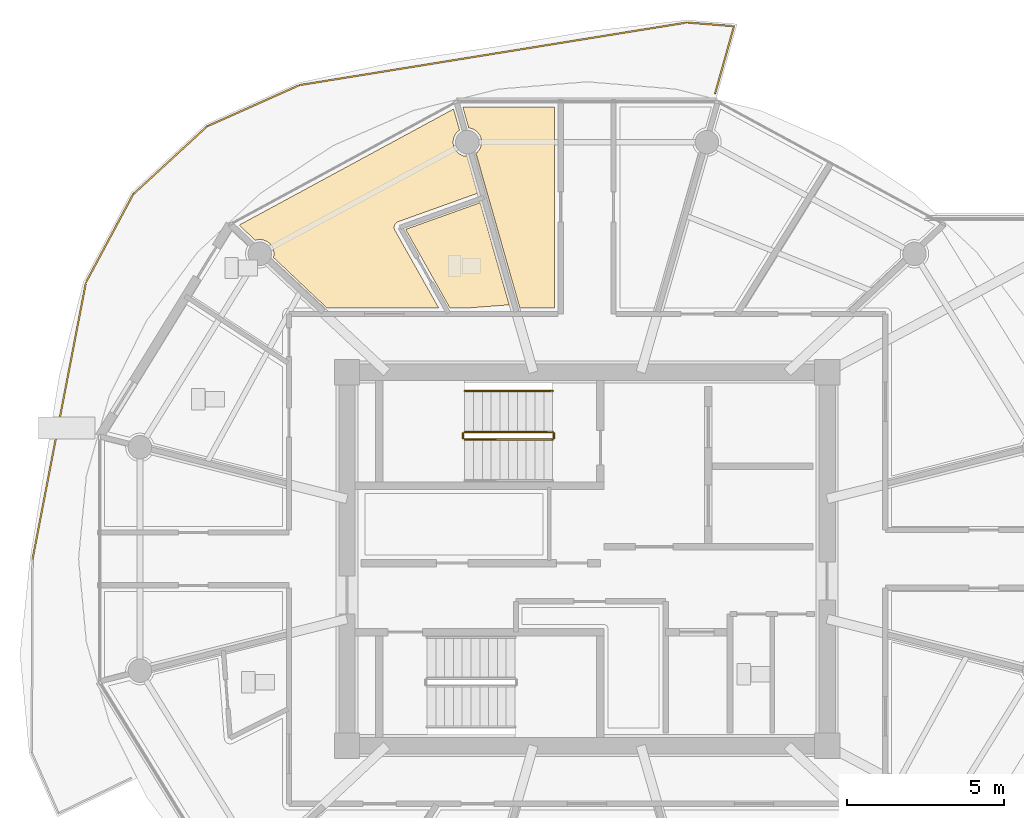
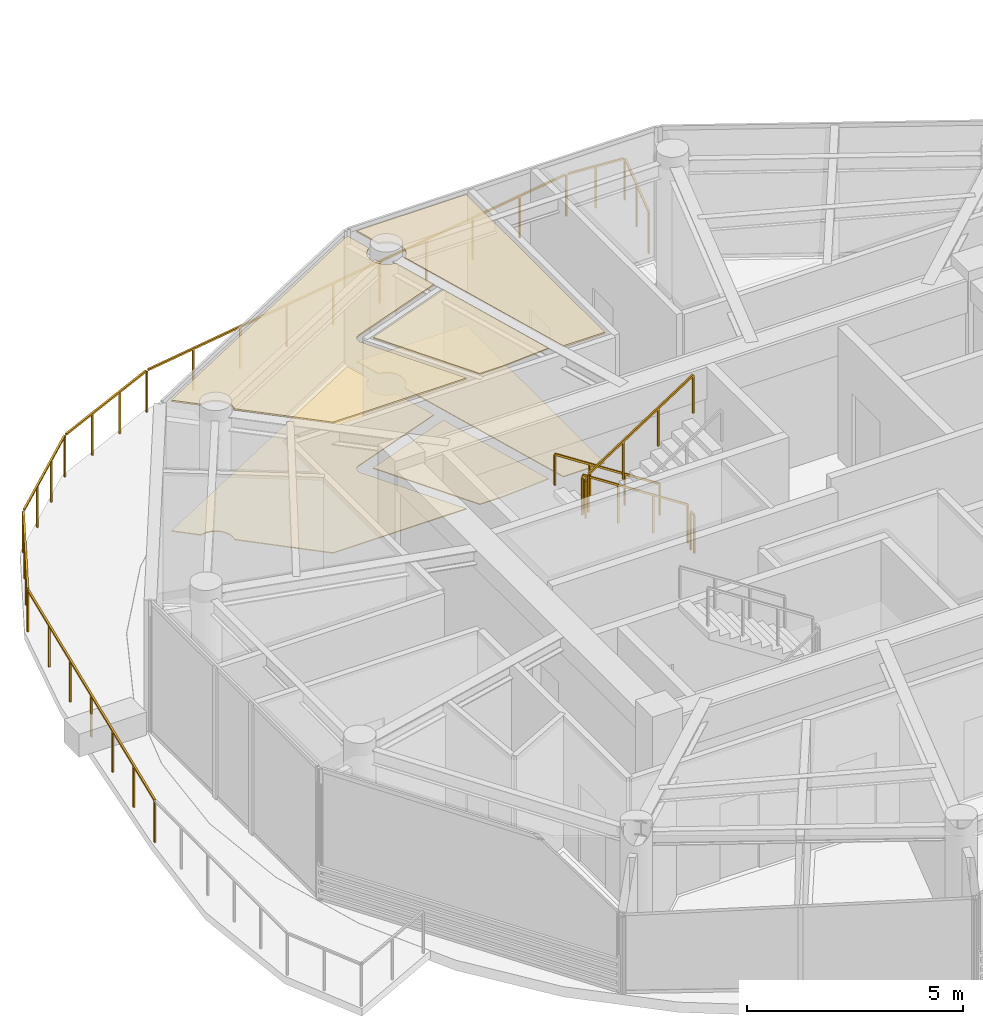
# One storey, part 24 of 31: 6 coverings, 6 railings.
"""IFC4 building model written with IfcOpenShell, lengths in metres."""

from ifc_helpers import new_model, si_unit, direction, frame, origin, origin_2d, place, context, subcontext, project, spatial, polyline, rectangle, outline, extrude, material, layer, layer_set, type_object, element, save


model = new_model("IFC4")

# Units and contexts
model_context = context("Model", 3, precision=1e-05, world=origin(), true_north=direction((0.0, 1.0)))
body_context = subcontext(model_context, "Body", "Model", "MODEL_VIEW")
ifc_project = project(units=[si_unit("LENGTHUNIT", "METRE"), si_unit("AREAUNIT", "SQUARE_METRE"), si_unit("VOLUMEUNIT", "CUBIC_METRE"), si_unit("PLANEANGLEUNIT", "RADIAN"), si_unit("MASSUNIT", "GRAM", prefix="KILO")], contexts=[model_context])

# Site, building, storey
site_placement = place(None, origin())
site = spatial("IfcSite", under=ifc_project, at=site_placement, CompositionType="ELEMENT")
building_placement = place(site_placement, origin())
building = spatial("IfcBuilding", under=site, at=building_placement, Name="Norrkilde Senior Care Towers", CompositionType="ELEMENT")
storey_placement = place(building_placement, frame((0.0, 0.0, 199.800048828125)))
storey = spatial("IfcBuildingStorey", under=building, at=storey_placement, Name="L62", CompositionType="ELEMENT", Elevation=199.800048828125)

# Coverings
ifc_material_1 = material(Name="Nordic Ash Timber", Category="wood")
ifc_layer_1 = layer(ifc_material_1, 0.044921875)
ifc_layer_set_1 = layer_set([ifc_layer_1], Name="Nordic Ash Timber")
covering_type_1 = type_object("IfcCoveringType", Name="Acoustic Ash Timber Slatted Ceiling 45", PredefinedType="CEILING", material=ifc_layer_set_1)
covering_1_placement = place(storey_placement, frame((0.0, 0.0, 3.6650390625)))
element("IfcCovering", 1, at=covering_1_placement, inside=storey, type_object=covering_type_1, Name="L62 Suspended Ceiling 0376", PredefinedType="CEILING", context=body_context, shape_type="SweptSolid", body=[
    extrude(outline(polyline([(-29.0400390625, 14.407470703125), (-29.0400390625, 8.0), (-30.144775390625, 8.0), (-31.541748046875, 12.924560546875), (-31.495849609375, 12.959716796875), (-31.423583984375, 13.053955078125), (-31.378173828125, 13.163818359375), (-31.362548828125, 13.281494140625), (-31.378173828125, 13.399169921875), (-31.423583984375, 13.509033203125), (-31.495849609375, 13.603271484375), (-31.590087890625, 13.675537109375), (-31.69970703125, 13.720947265625), (-31.770263671875, 13.730224609375), (-31.96240234375, 14.407470703125), (-29.0400390625, 14.407470703125)])), origin(), (0.0, 0.0, 1.0), 0.044921875),
])
covering_2_placement = place(storey_placement, frame((0.0, 0.0, 3.6650390625)))
element("IfcCovering", 2, at=covering_2_placement, inside=storey, type_object=covering_type_1, Name="L62 Suspended Ceiling 0383", PredefinedType="CEILING", context=body_context, shape_type="SweptSolid", body=[
    extrude(outline(polyline([(-34.0595703125, 10.7255859375), (-34.065185546875, 10.7216796875), (-34.074462890625, 10.71484375), (-34.079833984375, 10.710693359375), (-34.08837890625, 10.702880859375), (-34.09326171875, 10.6982421875), (-34.10107421875, 10.689697265625), (-34.10546875, 10.684326171875), (-34.1123046875, 10.675048828125), (-34.1162109375, 10.66943359375), (-34.122314453125, 10.65966796875), (-34.12548828125, 10.65380859375), (-34.130615234375, 10.643310546875), (-34.13330078125, 10.63720703125), (-34.13720703125, 10.626220703125), (-34.139404296875, 10.619873046875), (-34.142333984375, 10.608642578125), (-34.143798828125, 10.60205078125), (-34.1455078125, 10.590576171875), (-34.146484375, 10.583740234375), (-34.147216796875, 10.572265625), (-34.147216796875, 10.5654296875), (-34.14697265625, 10.553955078125), (-34.146484375, 10.547119140625), (-34.14501953125, 10.53564453125), (-34.143798828125, 10.529052734375), (-34.14111328125, 10.517578125), (-34.139404296875, 10.51123046875), (-34.1357421875, 10.500244140625), (-34.13330078125, 10.493896484375), (-34.128662109375, 10.483154296875), (-34.12548828125, 10.47705078125), (-34.122802734375, 10.471923828125), (-32.72900390625, 8.0), (-36.294677734375, 8.0), (-37.9912109375, 9.6025390625), (-37.990234375, 9.60498046875), (-37.974853515625, 9.72265625), (-37.990234375, 9.840576171875), (-38.035888671875, 9.9501953125), (-38.108154296875, 10.04443359375), (-38.202392578125, 10.11669921875), (-38.31201171875, 10.162109375), (-38.429931640625, 10.177734375), (-38.547607421875, 10.162109375), (-38.57275390625, 10.15185546875), (-39.08642578125, 10.636962890625), (-32.253662109375, 14.335693359375), (-32.062744140625, 13.662109375), (-32.139404296875, 13.603271484375), (-32.211669921875, 13.509033203125), (-32.257080078125, 13.399169921875), (-32.2724609375, 13.281494140625), (-32.257080078125, 13.163818359375), (-32.211669921875, 13.053955078125), (-32.139404296875, 12.959716796875), (-32.045166015625, 12.887451171875), (-31.935302734375, 12.842041015625), (-31.825927734375, 12.82763671875), (-31.491943359375, 11.650634765625), (-34.021484375, 10.744140625), (-34.02685546875, 10.7421875), (-34.033203125, 10.739501953125), (-34.043701171875, 10.734619140625), (-34.049560546875, 10.7314453125), (-34.0595703125, 10.7255859375)])), origin(), (0.0, 0.0, 1.0), 0.044921875),
])
ifc_material_2 = material(Name="Gypsum Acoustic Board")
ifc_layer_2 = layer(ifc_material_2, 0.030029296875)
ifc_layer_set_2 = layer_set([ifc_layer_2], Name="Gypsum Acoustic Board")
covering_type_2 = type_object("IfcCoveringType", Name="Medical Cleanable Gypsum Ceiling 30", PredefinedType="CEILING", material=ifc_layer_set_2)
covering_3_placement = place(storey_placement, frame((0.0, 0.0, 3.679931640625)))
element("IfcCovering", 3, at=covering_3_placement, inside=storey, type_object=covering_type_2, Name="L62 Suspended Ceiling 0384", PredefinedType="CEILING", context=body_context, shape_type="SweptSolid", body=[
    extrude(outline(polyline([(-33.782958984375, 10.50048828125), (-31.4072265625, 11.3515625), (-30.483642578125, 8.095458984375), (-31.75390625, 8.0), (-32.373046875, 8.0), (-33.782958984375, 10.50048828125)])), origin(), (0.0, 0.0, 1.0), 0.030029296875),
])

# Railing
ifc_material_3 = material(Name="Stainless Steel", Category="steel")
railing_type_1 = type_object("IfcRailingType", Name="Sky Pool Laminated Balustrade 1200", PredefinedType="BALUSTRADE", material=ifc_material_3)
railing_1_placement = place(storey_placement, frame((-45.669677734375, -0.010498046875, 0.0)))
element("IfcRailing", 4, at=railing_1_placement, inside=storey, type_object=railing_type_1, Name="L62 Perimeter Safety Guard 05", PredefinedType="BALUSTRADE", context=body_context, shape_type="SweptSolid", body=[
    extrude(rectangle(XDim=0.048095703125, YDim=0.048095703125, at=origin_2d()), frame((0.0, 0.0, 1.17578125), z_axis=(0.189405817806, 0.981898893054, 0.0), x_axis=(-0.981898893054, 0.189405817806, 0.0)), (0.0, 0.0, 1.0), 8.942138671875),
    extrude(rectangle(XDim=0.048095703125, YDim=0.048095703125, at=origin_2d()), frame((1.720703125, 8.8564453125, 1.17578125), z_axis=(0.472100103462, 0.88154494628, 0.0), x_axis=(-0.88154494628, 0.472100103462, 0.0)), (0.0, 0.0, 1.0), 3.101806640625),
    extrude(rectangle(XDim=0.048095703125, YDim=0.048095703125, at=origin_2d()), frame((3.234375, 11.654296875, 1.17578125), z_axis=(0.736388067125, 0.676559394729, 0.0), x_axis=(-0.676559394729, 0.736388067125, 0.0)), (0.0, 0.0, 1.0), 3.12158203125),
    extrude(rectangle(XDim=0.048095703125, YDim=0.048095703125, at=origin_2d()), frame((5.6005859375, 13.810546875, 1.17578125), z_axis=(0.913132342887, 0.407663248741, 0.0), x_axis=(-0.407663248741, 0.913132342887, 0.0)), (0.0, 0.0, 1.0), 3.140869140625),
    extrude(rectangle(XDim=0.048095703125, YDim=0.048095703125, at=origin_2d()), frame((8.546142578125, 15.1142578125, 1.17578125), z_axis=(0.987195630244, 0.1595142239, 0.0), x_axis=(-0.1595142239, 0.987195630244, 0.0)), (0.0, 0.0, 1.0), 12.421142578125),
    extrude(rectangle(XDim=0.048095703125, YDim=0.048095703125, at=origin_2d()), frame((20.889404296875, 17.098876953125, 1.17578125), z_axis=(0.996952491541, -0.078011086454, 0.0), x_axis=(0.078011086454, 0.996952491541, 0.0)), (0.0, 0.0, 1.0), 1.423583984375),
    extrude(rectangle(XDim=0.048095703125, YDim=0.048095703125, at=origin_2d()), frame((22.33837890625, 16.9453125, 1.17578125), z_axis=(-0.270143741925, -0.962820003271, 0.0), x_axis=(0.962820003271, -0.270143741925, 0.0)), (0.0, 0.0, 1.0), 2.1796875),
    extrude(rectangle(XDim=0.0419921875, YDim=0.0419921875, at=origin_2d()), origin(), (0.0, 0.0, 1.0), 1.14990234375),
    extrude(rectangle(XDim=0.0419921875, YDim=0.0419921875, at=origin_2d()), frame((0.28369140625, 1.469970703125, 0.0)), (0.0, 0.0, 1.0), 1.14990234375),
    extrude(rectangle(XDim=0.0419921875, YDim=0.0419921875, at=origin_2d()), frame((0.567138671875, 2.940185546875, 0.0)), (0.0, 0.0, 1.0), 1.14990234375),
    extrude(rectangle(XDim=0.0419921875, YDim=0.0419921875, at=origin_2d()), frame((0.8505859375, 4.41015625, 0.0)), (0.0, 0.0, 1.0), 1.14990234375),
    extrude(rectangle(XDim=0.0419921875, YDim=0.0419921875, at=origin_2d()), frame((1.13427734375, 5.880126953125, 0.0)), (0.0, 0.0, 1.0), 1.14990234375),
    extrude(rectangle(XDim=0.0419921875, YDim=0.0419921875, at=origin_2d()), frame((1.41796875, 7.350341796875, 0.0)), (0.0, 0.0, 1.0), 1.14990234375),
    extrude(rectangle(XDim=0.0419921875, YDim=0.0419921875, at=origin_2d()), frame((1.701416015625, 8.8203125, 0.0)), (0.0, 0.0, 1.0), 1.14990234375),
    extrude(rectangle(XDim=0.0419921875, YDim=0.0419921875, at=origin_2d()), frame((2.202392578125, 9.755859375, 0.0)), (0.0, 0.0, 1.0), 1.14990234375),
    extrude(rectangle(XDim=0.0419921875, YDim=0.0419921875, at=origin_2d()), frame((2.703369140625, 10.691162109375, 0.0)), (0.0, 0.0, 1.0), 1.14990234375),
    extrude(rectangle(XDim=0.0419921875, YDim=0.0419921875, at=origin_2d()), frame((3.204345703125, 11.626708984375, 0.0)), (0.0, 0.0, 1.0), 1.14990234375),
    extrude(rectangle(XDim=0.0419921875, YDim=0.0419921875, at=origin_2d()), frame((3.99072265625, 12.34912109375, 0.0)), (0.0, 0.0, 1.0), 1.14990234375),
    extrude(rectangle(XDim=0.0419921875, YDim=0.0419921875, at=origin_2d()), frame((4.77685546875, 13.071533203125, 0.0)), (0.0, 0.0, 1.0), 1.14990234375),
    extrude(rectangle(XDim=0.0419921875, YDim=0.0419921875, at=origin_2d()), frame((5.563232421875, 13.7939453125, 0.0)), (0.0, 0.0, 1.0), 1.14990234375),
    extrude(rectangle(XDim=0.0419921875, YDim=0.0419921875, at=origin_2d()), frame((6.544189453125, 14.23193359375, 0.0)), (0.0, 0.0, 1.0), 1.14990234375),
    extrude(rectangle(XDim=0.0419921875, YDim=0.0419921875, at=origin_2d()), frame((7.52490234375, 14.669677734375, 0.0)), (0.0, 0.0, 1.0), 1.14990234375),
    extrude(rectangle(XDim=0.0419921875, YDim=0.0419921875, at=origin_2d()), frame((8.505859375, 15.107666015625, 0.0)), (0.0, 0.0, 1.0), 1.14990234375),
    extrude(rectangle(XDim=0.0419921875, YDim=0.0419921875, at=origin_2d()), frame((9.877197265625, 15.329345703125, 0.0)), (0.0, 0.0, 1.0), 1.14990234375),
    extrude(rectangle(XDim=0.0419921875, YDim=0.0419921875, at=origin_2d()), frame((11.248779296875, 15.55078125, 0.0)), (0.0, 0.0, 1.0), 1.14990234375),
    extrude(rectangle(XDim=0.0419921875, YDim=0.0419921875, at=origin_2d()), frame((12.6201171875, 15.7724609375, 0.0)), (0.0, 0.0, 1.0), 1.14990234375),
    extrude(rectangle(XDim=0.0419921875, YDim=0.0419921875, at=origin_2d()), frame((13.991455078125, 15.994140625, 0.0)), (0.0, 0.0, 1.0), 1.14990234375),
    extrude(rectangle(XDim=0.0419921875, YDim=0.0419921875, at=origin_2d()), frame((15.363037109375, 16.215576171875, 0.0)), (0.0, 0.0, 1.0), 1.14990234375),
    extrude(rectangle(XDim=0.0419921875, YDim=0.0419921875, at=origin_2d()), frame((16.734375, 16.437255859375, 0.0)), (0.0, 0.0, 1.0), 1.14990234375),
    extrude(rectangle(XDim=0.0419921875, YDim=0.0419921875, at=origin_2d()), frame((18.105712890625, 16.658935546875, 0.0)), (0.0, 0.0, 1.0), 1.14990234375),
    extrude(rectangle(XDim=0.0419921875, YDim=0.0419921875, at=origin_2d()), frame((19.477294921875, 16.88037109375, 0.0)), (0.0, 0.0, 1.0), 1.14990234375),
    extrude(rectangle(XDim=0.0419921875, YDim=0.0419921875, at=origin_2d()), frame((20.8486328125, 17.10205078125, 0.0)), (0.0, 0.0, 1.0), 1.14990234375),
    extrude(rectangle(XDim=0.0419921875, YDim=0.0419921875, at=origin_2d()), frame((21.59912109375, 17.04345703125, 0.0)), (0.0, 0.0, 1.0), 1.14990234375),
    extrude(rectangle(XDim=0.0419921875, YDim=0.0419921875, at=origin_2d()), frame((22.349365234375, 16.984619140625, 0.0)), (0.0, 0.0, 1.0), 1.14990234375),
    extrude(rectangle(XDim=0.0419921875, YDim=0.0419921875, at=origin_2d()), frame((22.04931640625, 15.91552734375, 0.0)), (0.0, 0.0, 1.0), 1.14990234375),
    extrude(rectangle(XDim=0.0419921875, YDim=0.0419921875, at=origin_2d()), frame((21.74951171875, 14.8466796875, 0.0)), (0.0, 0.0, 1.0), 1.14990234375),
])

# Coverings
ifc_material_4 = material(Name="Slip-Resistant Porcelain Stone", Category="masonry")
ifc_layer_3 = layer(ifc_material_4, 0.02490234375)
ifc_layer_set_3 = layer_set([ifc_layer_3], Name="Slip-Resistant Porcelain Stone")
covering_type_3 = type_object("IfcCoveringType", Name="Slip-Resistant Porcelain Flooring 25", PredefinedType="FLOORING", material=ifc_layer_set_3)
covering_4_placement = place(storey_placement, origin())
element("IfcCovering", 5, at=covering_4_placement, inside=storey, type_object=covering_type_3, Name="L62 Floor Finish 0376", PredefinedType="FLOORING", context=body_context, shape_type="SweptSolid", body=[
    extrude(outline(polyline([(-29.0400390625, 14.407470703125), (-29.0400390625, 8.0), (-30.144775390625, 8.0), (-31.541748046875, 12.924560546875), (-31.495849609375, 12.959716796875), (-31.423583984375, 13.053955078125), (-31.378173828125, 13.163818359375), (-31.362548828125, 13.281494140625), (-31.378173828125, 13.399169921875), (-31.423583984375, 13.509033203125), (-31.495849609375, 13.603271484375), (-31.590087890625, 13.675537109375), (-31.69970703125, 13.720947265625), (-31.770263671875, 13.730224609375), (-31.96240234375, 14.407470703125), (-29.0400390625, 14.407470703125)])), origin(), (0.0, 0.0, 1.0), 0.02490234375),
])
covering_5_placement = place(storey_placement, origin())
element("IfcCovering", 6, at=covering_5_placement, inside=storey, type_object=covering_type_3, Name="L62 Floor Finish 0383", PredefinedType="FLOORING", context=body_context, shape_type="SweptSolid", body=[
    extrude(outline(polyline([(-34.0595703125, 10.7255859375), (-34.065185546875, 10.7216796875), (-34.074462890625, 10.71484375), (-34.079833984375, 10.710693359375), (-34.08837890625, 10.702880859375), (-34.09326171875, 10.6982421875), (-34.10107421875, 10.689697265625), (-34.10546875, 10.684326171875), (-34.1123046875, 10.675048828125), (-34.1162109375, 10.66943359375), (-34.122314453125, 10.65966796875), (-34.12548828125, 10.65380859375), (-34.130615234375, 10.643310546875), (-34.13330078125, 10.63720703125), (-34.13720703125, 10.626220703125), (-34.139404296875, 10.619873046875), (-34.142333984375, 10.608642578125), (-34.143798828125, 10.60205078125), (-34.1455078125, 10.590576171875), (-34.146484375, 10.583740234375), (-34.147216796875, 10.572265625), (-34.147216796875, 10.5654296875), (-34.14697265625, 10.553955078125), (-34.146484375, 10.547119140625), (-34.14501953125, 10.53564453125), (-34.143798828125, 10.529052734375), (-34.14111328125, 10.517578125), (-34.139404296875, 10.51123046875), (-34.1357421875, 10.500244140625), (-34.13330078125, 10.493896484375), (-34.128662109375, 10.483154296875), (-34.12548828125, 10.47705078125), (-34.122802734375, 10.471923828125), (-32.72900390625, 8.0), (-36.294677734375, 8.0), (-37.9912109375, 9.6025390625), (-37.990234375, 9.60498046875), (-37.974853515625, 9.72265625), (-37.990234375, 9.840576171875), (-38.035888671875, 9.9501953125), (-38.108154296875, 10.04443359375), (-38.202392578125, 10.11669921875), (-38.31201171875, 10.162109375), (-38.429931640625, 10.177734375), (-38.547607421875, 10.162109375), (-38.57275390625, 10.15185546875), (-39.08642578125, 10.636962890625), (-32.253662109375, 14.335693359375), (-32.062744140625, 13.662109375), (-32.139404296875, 13.603271484375), (-32.211669921875, 13.509033203125), (-32.257080078125, 13.399169921875), (-32.2724609375, 13.281494140625), (-32.257080078125, 13.163818359375), (-32.211669921875, 13.053955078125), (-32.139404296875, 12.959716796875), (-32.045166015625, 12.887451171875), (-31.935302734375, 12.842041015625), (-31.825927734375, 12.82763671875), (-31.491943359375, 11.650634765625), (-34.021484375, 10.744140625), (-34.02685546875, 10.7421875), (-34.033203125, 10.739501953125), (-34.043701171875, 10.734619140625), (-34.049560546875, 10.7314453125), (-34.0595703125, 10.7255859375)])), origin(), (0.0, 0.0, 1.0), 0.02490234375),
])
covering_6_placement = place(storey_placement, origin())
element("IfcCovering", 7, at=covering_6_placement, inside=storey, type_object=covering_type_3, Name="L62 Floor Finish 0384", PredefinedType="FLOORING", context=body_context, shape_type="SweptSolid", body=[
    extrude(outline(polyline([(-33.782958984375, 10.50048828125), (-31.4072265625, 11.3515625), (-30.483642578125, 8.095458984375), (-31.75390625, 8.0), (-32.373046875, 8.0), (-33.782958984375, 10.50048828125)])), origin(), (0.0, 0.0, 1.0), 0.02490234375),
])

# Railings
railing_type_2 = type_object("IfcRailingType", Name="Stair and Terrace Guardrail 1100", PredefinedType="GUARDRAIL", material=ifc_material_3)
railing_2_placement = place(storey_placement, frame((-29.10009765625, 4.050048828125, 0.181884765625)))
element("IfcRailing", 8, at=railing_2_placement, inside=storey, type_object=railing_type_2, Name="L62 ST-W1 stair guard 1", PredefinedType="GUARDRAIL", context=body_context, shape_type="SweptSolid", body=[
    extrude(rectangle(XDim=0.048095703125, YDim=0.048095703125, at=origin_2d()), frame((0.0, 0.0, 1.076171875), z_axis=(-0.83868413941, 0.0, 0.544618136222), x_axis=(0.0, -1.0, 0.0)), (0.0, 0.0, 1.0), 3.33837890625),
    extrude(rectangle(XDim=0.0419921875, YDim=0.0419921875, at=origin_2d()), origin(), (0.0, 0.0, 1.0), 1.050048828125),
    extrude(rectangle(XDim=0.0419921875, YDim=0.0419921875, at=origin_2d()), frame((-0.933349609375, 0.0, 0.60595703125)), (0.0, 0.0, 1.0), 1.050048828125),
    extrude(rectangle(XDim=0.0419921875, YDim=0.0419921875, at=origin_2d()), frame((-1.866455078125, 0.0, 1.212158203125)), (0.0, 0.0, 1.0), 1.050048828125),
    extrude(rectangle(XDim=0.0419921875, YDim=0.0419921875, at=origin_2d()), frame((-2.7998046875, 0.0, 1.818115234375)), (0.0, 0.0, 1.0), 1.050048828125),
])
railing_3_placement = place(storey_placement, frame((-31.949951171875, 4.0, 2.0)))
element("IfcRailing", 9, at=railing_3_placement, inside=storey, type_object=railing_type_2, Name="L62 ST-W1 stair guard 2", PredefinedType="GUARDRAIL", context=body_context, shape_type="SweptSolid", body=[
    extrude(rectangle(XDim=0.048095703125, YDim=0.048095703125, at=origin_2d()), frame((0.0, 0.0, 1.076171875), z_axis=(0.0, -1.0, 0.0), x_axis=(1.0, 0.0, 0.0)), (0.0, 0.0, 1.0), 0.14990234375),
    extrude(rectangle(XDim=0.0419921875, YDim=0.0419921875, at=origin_2d()), origin(), (0.0, 0.0, 1.0), 1.050048828125),
    extrude(rectangle(XDim=0.0419921875, YDim=0.0419921875, at=origin_2d()), frame((0.0, -0.14990234375, 0.0)), (0.0, 0.0, 1.0), 1.050048828125),
])
railing_4_placement = place(storey_placement, frame((-31.89990234375, 3.800048828125, 2.181884765625)))
element("IfcRailing", 10, at=railing_4_placement, inside=storey, type_object=railing_type_2, Name="L62 ST-W1 stair guard 3", PredefinedType="GUARDRAIL", context=body_context, shape_type="SweptSolid", body=[
    extrude(rectangle(XDim=0.048095703125, YDim=0.048095703125, at=origin_2d()), frame((0.0, 0.0, 1.076171875), z_axis=(0.83868413941, 0.0, 0.544618136222), x_axis=(0.0, 1.0, 0.0)), (0.0, 0.0, 1.0), 3.33837890625),
    extrude(rectangle(XDim=0.0419921875, YDim=0.0419921875, at=origin_2d()), origin(), (0.0, 0.0, 1.0), 1.050048828125),
    extrude(rectangle(XDim=0.0419921875, YDim=0.0419921875, at=origin_2d()), frame((0.933349609375, 0.0, 0.60595703125)), (0.0, 0.0, 1.0), 1.050048828125),
    extrude(rectangle(XDim=0.0419921875, YDim=0.0419921875, at=origin_2d()), frame((1.866455078125, 0.0, 1.212158203125)), (0.0, 0.0, 1.0), 1.050048828125),
    extrude(rectangle(XDim=0.0419921875, YDim=0.0419921875, at=origin_2d()), frame((2.7998046875, 0.0, 1.818115234375)), (0.0, 0.0, 1.0), 1.050048828125),
])
railing_5_placement = place(storey_placement, frame((-29.050048828125, 4.0, 0.0)))
element("IfcRailing", 11, at=railing_5_placement, inside=storey, type_object=railing_type_2, Name="L62 ST-W1 stair guard 4", PredefinedType="GUARDRAIL", context=body_context, shape_type="SweptSolid", body=[
    extrude(rectangle(XDim=0.048095703125, YDim=0.048095703125, at=origin_2d()), frame((0.0, 0.0, 1.076171875), z_axis=(0.0, -1.0, 0.0), x_axis=(1.0, 0.0, 0.0)), (0.0, 0.0, 1.0), 0.14990234375),
    extrude(rectangle(XDim=0.0419921875, YDim=0.0419921875, at=origin_2d()), origin(), (0.0, 0.0, 1.0), 1.050048828125),
    extrude(rectangle(XDim=0.0419921875, YDim=0.0419921875, at=origin_2d()), frame((0.0, -0.14990234375, 0.0)), (0.0, 0.0, 1.0), 1.050048828125),
])
railing_type_3 = type_object("IfcRailingType", Name="Wall and Stair Handrail 900", PredefinedType="HANDRAIL", material=ifc_material_1)
railing_6_placement = place(storey_placement, frame((-29.10009765625, 5.35009765625, 0.181884765625)))
element("IfcRailing", 12, at=railing_6_placement, inside=storey, type_object=railing_type_3, Name="L62 ST-W1 stair handrail 1", PredefinedType="HANDRAIL", context=body_context, shape_type="SweptSolid", body=[
    extrude(rectangle(XDim=0.048095703125, YDim=0.048095703125, at=origin_2d()), frame((0.0, 0.0, 0.8759765625), z_axis=(-0.83868413941, 0.0, 0.544618136222), x_axis=(0.0, -1.0, 0.0)), (0.0, 0.0, 1.0), 3.33837890625),
    extrude(rectangle(XDim=0.0419921875, YDim=0.0419921875, at=origin_2d()), origin(), (0.0, 0.0, 1.0), 0.849853515625),
    extrude(rectangle(XDim=0.0419921875, YDim=0.0419921875, at=origin_2d()), frame((-0.933349609375, 0.0, 0.60595703125)), (0.0, 0.0, 1.0), 0.849853515625),
    extrude(rectangle(XDim=0.0419921875, YDim=0.0419921875, at=origin_2d()), frame((-1.866455078125, 0.0, 1.212158203125)), (0.0, 0.0, 1.0), 0.849853515625),
    extrude(rectangle(XDim=0.0419921875, YDim=0.0419921875, at=origin_2d()), frame((-2.7998046875, 0.0, 1.818115234375)), (0.0, 0.0, 1.0), 0.849853515625),
])

save(model, "model.ifc")
